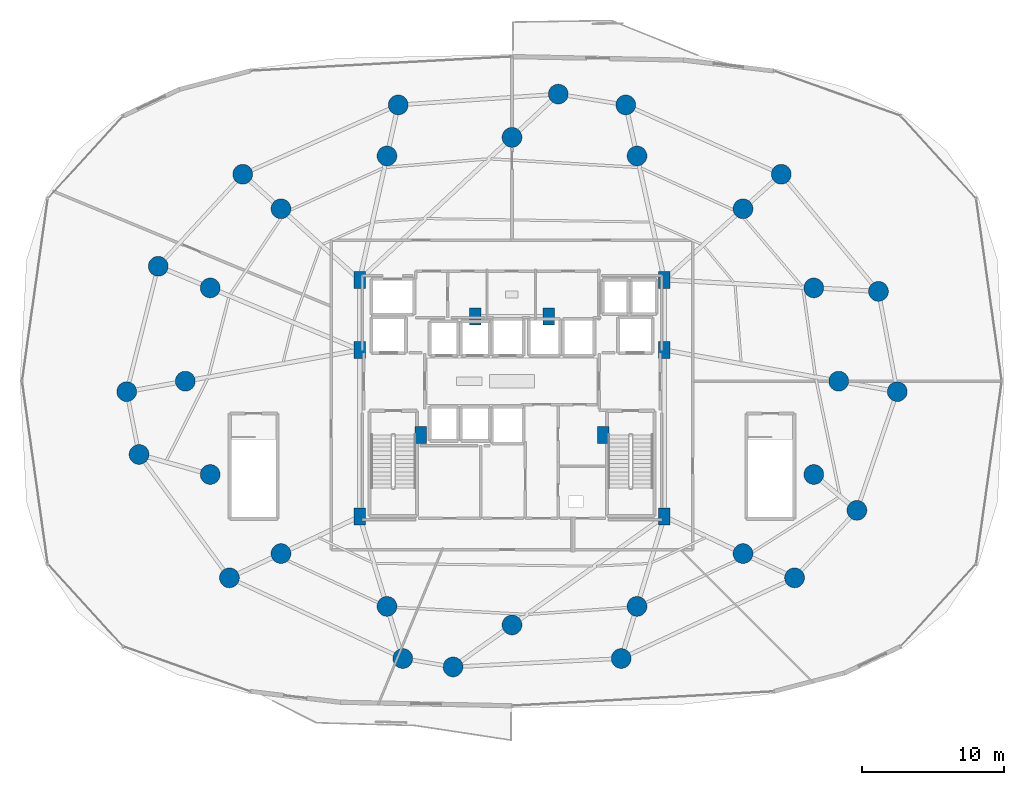
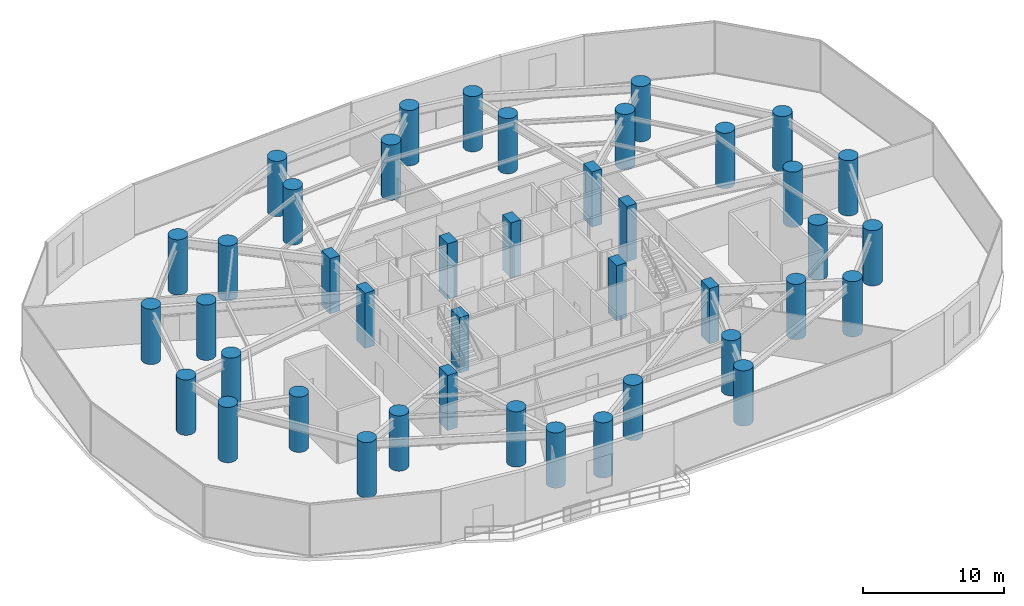
# One storey, part 1 of 32: 42 columns.
"""IFC4 building model written with IfcOpenShell, lengths in metres."""

from ifc_helpers import new_model, si_unit, direction, frame, origin, origin_2d, place, context, subcontext, project, spatial, rectangle, circle, extrude, material, material_profile, profile_set, type_object, element, save


model = new_model("IFC4")

# Units and contexts
model_context = context("Model", 3, precision=1e-05, world=origin(), true_north=direction((0.0, 1.0)))
body_context = subcontext(model_context, "Body", "Model", "MODEL_VIEW")
ifc_project = project(units=[si_unit("LENGTHUNIT", "METRE"), si_unit("AREAUNIT", "SQUARE_METRE"), si_unit("VOLUMEUNIT", "CUBIC_METRE"), si_unit("PLANEANGLEUNIT", "RADIAN"), si_unit("MASSUNIT", "GRAM", prefix="KILO")], contexts=[model_context])

# Site, building, storey
site_placement = place(None, origin())
site = spatial("IfcSite", under=ifc_project, at=site_placement, CompositionType="ELEMENT")
building_placement = place(site_placement, origin())
building = spatial("IfcBuilding", under=site, at=building_placement, Name="Vorneva Point Tower", CompositionType="ELEMENT")
storey_placement = place(building_placement, frame((0.0, 0.0, 19.199951171875)))
storey = spatial("IfcBuildingStorey", under=building, at=storey_placement, Name="L04", CompositionType="ELEMENT", Elevation=19.199951171875)

# Columns
ifc_material = material(Name="Concrete B60 (C50/60)", Category="concrete")
ifc_material_profile_1 = material_profile(ifc_material, circle(Radius=0.699951171875, at=origin_2d()), Name="RC-CIRC 1400")
ifc_profile_set_1 = profile_set([ifc_material_profile_1], Name="Concrete B60 (C50/60)")
column_type_1 = type_object("IfcColumnType", Name="COL-RC1400C", PredefinedType="COLUMN", material=ifc_profile_set_1)
for number, where, z_axis, x_axis, name in (
    (1, (61.050048828125, 26.0, 0.0), (0.0, 0.0, 1.0), (1.0, 0.0, 0.0), "L04 Perimeter Column P01"),
    (2, (59.29541015625, 32.582275390625, 0.0), (0.0, 0.0, 1.0), (0.923879532511, 0.382683432365, 0.0), "L04 Perimeter Column P02"),
    (3, (54.298828125, 38.162109375, 0.0), (0.0, 0.0, 1.0), (0.707106781187, 0.707106781187, 0.0), "L04 Perimeter Column P03"),
    (4, (46.82080078125, 41.890625, 0.0), (0.0, 0.0, 1.0), (0.382683432365, 0.923879532511, 0.0), "L04 Perimeter Column P04"),
    (5, (38.0, 43.199951171875, 0.0), (0.0, 0.0, 1.0), (0.0, 1.0, 0.0), "L04 Perimeter Column P05"),
    (6, (29.17919921875, 41.890625, 0.0), (0.0, 0.0, 1.0), (-0.382683432365, 0.923879532511, 0.0), "L04 Perimeter Column P06"),
    (7, (21.701171875, 38.162109375, 0.0), (0.0, 0.0, 1.0), (-0.707106781187, 0.707106781187, 0.0), "L04 Perimeter Column P07"),
    (8, (16.70458984375, 32.582275390625, 0.0), (0.0, 0.0, 1.0), (-0.923879532511, 0.382683432365, 0.0), "L04 Perimeter Column P08"),
    (9, (14.949951171875, 26.0, 0.0), (0.0, 0.0, 1.0), (-1.0, 0.0, 0.0), "L04 Perimeter Column P09"),
    (10, (16.70458984375, 19.417724609375, 0.0), (0.0, 0.0, 1.0), (-0.923879532511, -0.382683432365, 0.0), "L04 Perimeter Column P10"),
    (11, (21.701171875, 13.837890625, 0.0), (0.0, 0.0, 1.0), (-0.707106781187, -0.707106781187, 0.0), "L04 Perimeter Column P11"),
    (12, (29.17919921875, 10.109375, 0.0), (0.0, 0.0, 1.0), (-0.382683432365, -0.923879532511, 0.0), "L04 Perimeter Column P12"),
    (13, (38.0, 8.800048828125, 0.0), (0.0, 0.0, 1.0), (0.0, -1.0, 0.0), "L04 Perimeter Column P13"),
    (14, (46.82080078125, 10.109375, 0.0), (0.0, 0.0, 1.0), (0.382683432365, -0.923879532511, 0.0), "L04 Perimeter Column P14"),
    (15, (54.298828125, 13.837890625, 0.0), (0.0, 0.0, 1.0), (0.707106781187, -0.707106781187, 0.0), "L04 Perimeter Column P15"),
    (16, (59.29541015625, 19.417724609375, 0.0), (0.0, 0.0, 1.0), (0.923879532511, -0.382683432365, 0.0), "L04 Perimeter Column P16"),
    (17, (65.18212890625, 25.260986328125, 0.0), (0.0, 0.0, 1.0), (1.0, 0.0, 0.0), "L04 Outer Zone Column OP01"),
    (18, (63.8544921875, 32.336669921875, 0.0), (0.0, 0.0, 1.0), (0.923879532511, 0.382683432365, 0.0), "L04 Outer Zone Column OP02"),
    (19, (56.997314453125, 40.599853515625, 0.0), (0.0, 0.0, 1.0), (0.707106781187, 0.707106781187, 0.0), "L04 Outer Zone Column OP03"),
    (20, (46.026123046875, 45.49169921875, 0.0), (0.0, 0.0, 1.0), (0.382683432365, 0.923879532511, 0.0), "L04 Outer Zone Column OP04"),
    (21, (41.26513671875, 46.25244140625, 0.0), (0.0, 0.0, 1.0), (0.0, 1.0, 0.0), "L04 Outer Zone Column OP05"),
    (22, (29.973876953125, 45.49169921875, 0.0), (0.0, 0.0, 1.0), (-0.382683432365, 0.923879532511, 0.0), "L04 Outer Zone Column OP06"),
    (23, (19.002685546875, 40.599853515625, 0.0), (0.0, 0.0, 1.0), (-0.707106781187, 0.707106781187, 0.0), "L04 Outer Zone Column OP07"),
    (24, (13.0390625, 34.10546875, 0.0), (0.0, 0.0, 1.0), (-0.923879532511, 0.382683432365, 0.0), "L04 Outer Zone Column OP08"),
    (25, (10.81787109375, 25.260986328125, 0.0), (0.0, 0.0, 1.0), (-1.0, 0.0, 0.0), "L04 Outer Zone Column OP09"),
    (26, (11.68798828125, 20.82958984375, 0.0), (0.0, 0.0, 1.0), (-0.923879532511, -0.382683432365, 0.0), "L04 Outer Zone Column OP10"),
    (27, (18.061279296875, 12.124267578125, 0.0), (0.0, 0.0, 1.0), (-0.707106781187, -0.707106781187, 0.0), "L04 Outer Zone Column OP11"),
    (28, (30.296875, 6.435302734375, 0.0), (0.0, 0.0, 1.0), (-0.382683432365, -0.923879532511, 0.0), "L04 Outer Zone Column OP12"),
    (29, (33.84033203125, 5.83984375, 0.0), (0.0, 0.0, 1.0), (0.0, -1.0, 0.0), "L04 Outer Zone Column OP13"),
    (30, (45.703125, 6.435302734375, 0.0), (0.0, 0.0, 1.0), (0.382683432365, -0.923879532511, 0.0), "L04 Outer Zone Column OP14"),
    (31, (57.938720703125, 12.124267578125, 0.0), (0.0, 0.0, 1.0), (0.707106781187, -0.707106781187, 0.0), "L04 Outer Zone Column OP15"),
    (32, (62.3349609375, 16.886474609375, 0.0), (0.0, 0.0, 1.0), (0.923879532511, -0.382683432365, 0.0), "L04 Outer Zone Column OP16"),
):
    element("IfcColumn", number, at=place(storey_placement, frame(where, z_axis=z_axis, x_axis=x_axis)), inside=storey, type_object=column_type_1, Name=name, PredefinedType="COLUMN", context=body_context, shape_type="SweptSolid", body=[
        extrude(circle(Radius=0.699951171875, at=origin_2d()), origin(), (0.0, 0.0, 1.0), 4.800048828125),
    ])
ifc_material_profile_2 = material_profile(ifc_material, rectangle(XDim=0.800048828125, YDim=1.199951171875, at=origin_2d()), Name="RC-PIL 1200x800")
ifc_profile_set_2 = profile_set([ifc_material_profile_2], Name="Concrete B60 (C50/60)")
column_type_2 = type_object("IfcColumnType", Name="PIL-RC1200x800", PredefinedType="PILASTER", material=ifc_profile_set_2)
for number, where, z_axis, x_axis, name in (
    (33, (27.25, 16.449951171875, 0.0), (0.0, 0.0, 1.0), (1.0, 0.0, 0.0), "L04 Core Pilaster CP1"),
    (34, (27.25, 28.199951171875, 0.0), (0.0, 0.0, 1.0), (1.0, 0.0, 0.0), "L04 Core Pilaster CP2"),
    (35, (27.25, 33.14990234375, 0.0), (0.0, 0.0, 1.0), (1.0, 0.0, 0.0), "L04 Core Pilaster CP3"),
    (36, (31.550048828125, 22.199951171875, 0.0), (0.0, 0.0, 1.0), (1.0, 0.0, 0.0), "L04 Core Pilaster CP4"),
    (37, (48.75, 33.14990234375, 0.0), (0.0, 0.0, 1.0), (1.0, 0.0, 0.0), "L04 Core Pilaster CP5"),
    (38, (48.75, 28.199951171875, 0.0), (0.0, 0.0, 1.0), (1.0, 0.0, 0.0), "L04 Core Pilaster CP6"),
    (39, (48.75, 16.449951171875, 0.0), (0.0, 0.0, 1.0), (1.0, 0.0, 0.0), "L04 Core Pilaster CP7"),
    (40, (44.449951171875, 22.199951171875, 0.0), (0.0, 0.0, 1.0), (1.0, 0.0, 0.0), "L04 Core Pilaster CP8"),
    (41, (35.39990234375, 30.550048828125, 0.0), (0.0, 0.0, 1.0), (1.0, 0.0, 0.0), "L04 Core Pilaster CP9"),
    (42, (40.60009765625, 30.550048828125, 0.0), (0.0, 0.0, 1.0), (1.0, 0.0, 0.0), "L04 Core Pilaster CP10"),
):
    element("IfcColumn", number, at=place(storey_placement, frame(where, z_axis=z_axis, x_axis=x_axis)), inside=storey, type_object=column_type_2, Name=name, PredefinedType="PILASTER", context=body_context, shape_type="SweptSolid", body=[
        extrude(rectangle(XDim=0.800048828125, YDim=1.199951171875, at=origin_2d()), origin(), (0.0, 0.0, 1.0), 4.800048828125),
    ])

save(model, "model.ifc")
